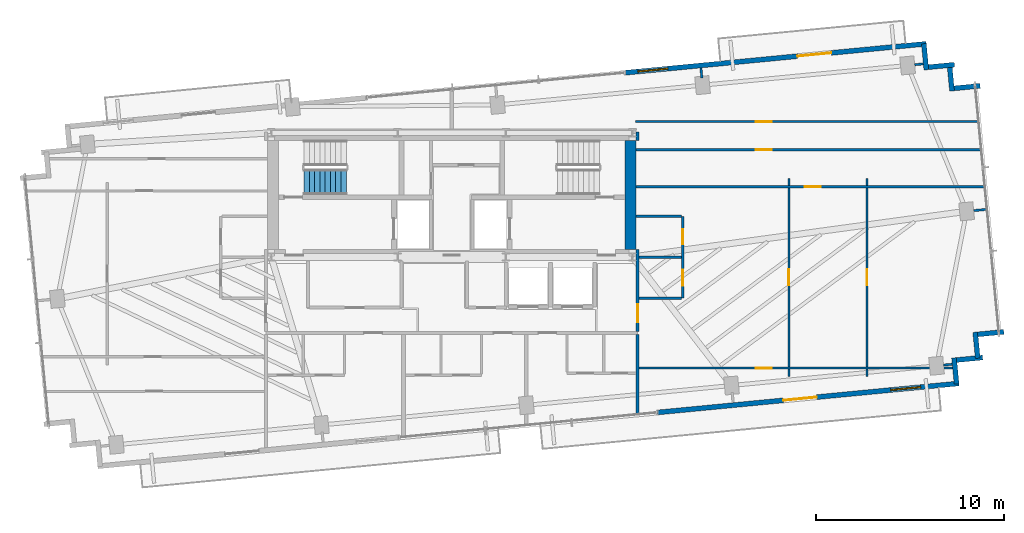
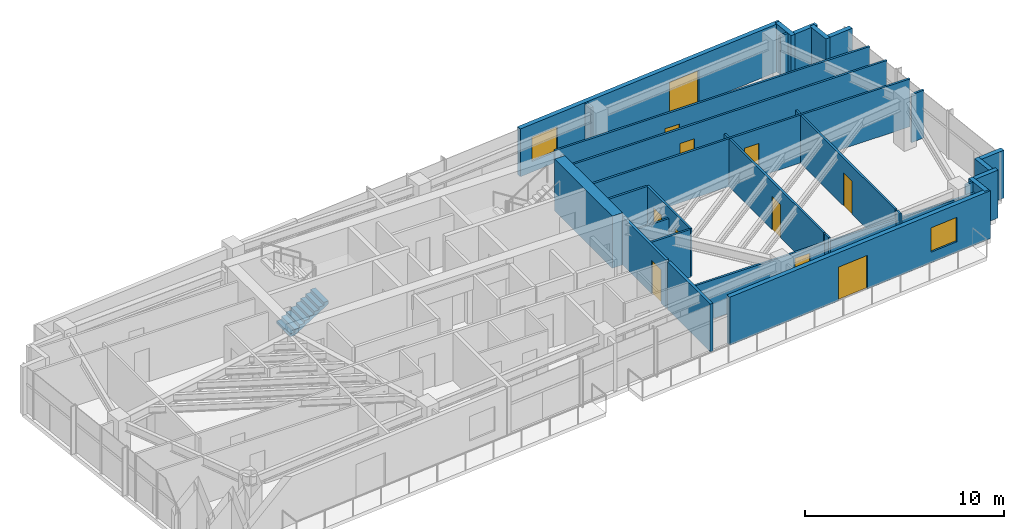
# One storey, part 15 of 18: 32 walls, 11 doors, 2 windows, 1 stair flight, 13 openings, 1 element without a shape of its own.
"""IFC4 building model written with IfcOpenShell, lengths in metres."""

from ifc_helpers import new_model, si_unit, direction, frame, frame_2d, origin, place, context, subcontext, project, spatial, polyline, rectangle, outline, extrude, source, transform, mapped, material, layer, layer_set, type_object, type_shapes, element, fill, aggregate, save


model = new_model("IFC4")

# Units and contexts
model_context = context("Model", 3, precision=1e-05, world=origin(), true_north=direction((0.0, 1.0)))
body_context = subcontext(model_context, "Body", "Model", "MODEL_VIEW")
ifc_project = project(units=[si_unit("LENGTHUNIT", "METRE"), si_unit("AREAUNIT", "SQUARE_METRE"), si_unit("VOLUMEUNIT", "CUBIC_METRE"), si_unit("PLANEANGLEUNIT", "RADIAN"), si_unit("MASSUNIT", "GRAM", prefix="KILO")], contexts=[model_context])

# Site, building, storey
site_placement = place(None, origin())
site = spatial("IfcSite", under=ifc_project, at=site_placement, CompositionType="ELEMENT")
building_placement = place(site_placement, origin())
building = spatial("IfcBuilding", under=site, at=building_placement, Name="Astriad Promenade Condominiums", CompositionType="ELEMENT")
storey_placement = place(building_placement, frame((0.0, 0.0, 198.60009765625)))
storey = spatial("IfcBuildingStorey", under=building, at=storey_placement, Name="L57", CompositionType="ELEMENT", Elevation=198.60009765625)

# Walls
ifc_material_1 = material(Name="Concrete C50/60", Category="concrete")
ifc_layer_1 = layer(ifc_material_1, 0.60009765625)
ifc_layer_set_1 = layer_set([ifc_layer_1], Name="Concrete C50/60")
wall_type_1 = type_object("IfcWallType", Name="CW-SHEAR-600", PredefinedType="SHEAR", material=ifc_layer_set_1)
wall_1_placement = place(storey_placement, frame((45.5, 17.802001953125, 0.0), z_axis=(0.0, 0.0, 1.0), x_axis=(0.0, 1.0, 0.0)))
element("IfcWall", 1, at=wall_1_placement, inside=storey, type_object=wall_type_1, Name="CW-CORE-E-L57", PredefinedType="SHEAR", context=body_context, shape_type="SweptSolid", body=[
    extrude(rectangle(XDim=5.7958984375, YDim=0.60009765625, at=frame_2d((2.89794921875, 0.0))), origin(), (0.0, 0.0, 1.0), 3.199951171875),
])
ifc_material_2 = material(Name="Fire-Rated Gypsum Partition")
ifc_layer_2 = layer(ifc_material_2, 0.159912109375)
ifc_layer_set_2 = layer_set([ifc_layer_2], Name="Fire-Rated Gypsum Partition")
wall_type_2 = type_object("IfcWallType", Name="WALL-CORR-160", PredefinedType="PARTITIONING", material=ifc_layer_set_2)
wall_2_placement = place(storey_placement, frame((45.8798828125, 8.98095703125, 0.0), z_axis=(0.0, 0.0, 1.0), x_axis=(0.0, 1.0, 0.0)))
element("IfcWall", 2, at=wall_2_placement, inside=storey, type_object=wall_type_2, Name="PT-COR-E-L57", PredefinedType="PARTITIONING", context=body_context, shape_type="SweptSolid", body=[
    extrude(rectangle(XDim=4.297119140625, YDim=0.159912109375, at=frame_2d((2.1484375, 0.0))), origin(), (0.0, 0.0, 1.0), 2.93994140625),
])

# Wall, opening, door
wall_3_placement = place(storey_placement, frame((45.8798828125, 13.44189453125, 0.0), z_axis=(0.0, 0.0, 1.0), x_axis=(0.0, 1.0, 0.0)))
wall_3 = element("IfcWall", 3, at=wall_3_placement, inside=storey, type_object=wall_type_2, Name="PT-COR-E-L57-S2", PredefinedType="PARTITIONING", context=body_context, shape_type="SweptSolid", body=[
    extrude(rectangle(XDim=4.360107421875, YDim=0.159912109375, at=frame_2d((2.18017578125, 0.0))), origin(), (0.0, 0.0, 1.0), 2.93994140625),
])
opening_1_placement = place(wall_3_placement, frame((0.492919921875, 0.0, 0.0)))
opening_1 = element("IfcOpeningElement", 4, at=opening_1_placement, cuts=wall_3, Name="Opening FD60-APT-095", PredefinedType="OPENING", context=body_context, shape_type="SweptSolid", body=[
    extrude(rectangle(XDim=0.949951171875, YDim=2.06005859375, at=frame_2d((0.47509765625, 1.030029296875))), frame((0.0, 0.08984375, 0.0), z_axis=(0.0, -1.0, 0.0), x_axis=(1.0, 0.0, 0.0)), (0.0, 0.0, 1.0), 0.179931640625),
])
ifc_material_3 = material(Name="Solid-Core Acoustic Timber Residence Entry Door", Category="wood")
door_type_1 = type_object("IfcDoorType", Name="FD60-APT-095", OperationType="NOTDEFINED", PredefinedType="DOOR", material=ifc_material_3)
shared_shape_1 = source(origin(), body_context, "Body", "SweptSolid", [
    extrude(rectangle(XDim=0.949951171875, YDim=2.06005859375, at=frame_2d((0.47509765625, 1.030029296875))), frame((0.0, 0.02490234375, 0.0), z_axis=(0.0, -1.0, 0.0), x_axis=(1.0, 0.0, 0.0)), (0.0, 0.0, 1.0), 0.050048828125),
])
type_shapes(door_type_1, [shared_shape_1])
door_1_placement = place(opening_1_placement, origin())
door_1 = element("IfcDoor", 5, at=door_1_placement, inside=storey, type_object=door_type_1, Name="D-ENT-L57-E1", OperationType="SINGLE_SWING_RIGHT", OverallHeight=2.06005859375, OverallWidth=0.949951171875, PredefinedType="DOOR", context=body_context, shape_type="MappedRepresentation", body=[
    mapped(shared_shape_1, transform((0.0, 0.0, 0.0), scale=1.0)),
])
fill(opening_1, door_1)

# Wall
wall_4_placement = place(storey_placement, frame((45.8798828125, 23.597900390625, 0.0), z_axis=(0.0, 0.0, 1.0), x_axis=(0.0, 1.0, 0.0)))
element("IfcWall", 6, at=wall_4_placement, inside=storey, type_object=wall_type_2, Name="PT-COR-E-L57-S3", PredefinedType="PARTITIONING", context=body_context, shape_type="SweptSolid", body=[
    extrude(rectangle(XDim=0.4521484375, YDim=0.159912109375, at=frame_2d((0.22607421875, 0.0))), origin(), (0.0, 0.0, 1.0), 2.93994140625),
])

# Wall, openings, door, window
ifc_material_4 = material(Name="Precast concrete C50/60", Category="concrete")
ifc_layer_3 = layer(ifc_material_4, 0.260009765625)
ifc_layer_set_3 = layer_set([ifc_layer_3], Name="Precast concrete C50/60")
wall_type_3 = type_object("IfcWallType", Name="WALL-EXT-TWR-260", PredefinedType="STANDARD", material=ifc_layer_set_3)
wall_5_placement = place(storey_placement, frame((45.198974609375, 27.189697265625, 0.0), z_axis=(0.0, 0.0, 1.0), x_axis=(0.995397074604, 0.095836652014, 0.0)))
wall_5 = element("IfcWall", 7, at=wall_5_placement, inside=storey, type_object=wall_type_3, Name="W-EXT-L57-N2", PredefinedType="STANDARD", context=body_context, shape_type="SweptSolid", body=[
    extrude(rectangle(XDim=16.10009765625, YDim=0.260009765625, at=frame_2d((8.050048828125, 0.0))), origin(), (0.0, 0.0, 1.0), 2.93994140625),
])
opening_2_placement = place(wall_5_placement, frame((9.219970703125, 0.0, 0.0)))
opening_2 = element("IfcOpeningElement", 8, at=opening_2_placement, cuts=wall_5, Name="Opening BD-1822-SLD", PredefinedType="OPENING", context=body_context, shape_type="SweptSolid", body=[
    extrude(rectangle(XDim=1.800048828125, YDim=2.06005859375, at=frame_2d((0.89990234375, 1.030029296875))), frame((0.0, 0.139892578125, 0.0), z_axis=(0.0, -1.0, 0.0), x_axis=(1.0, 0.0, 0.0)), (0.0, 0.0, 1.0), 0.280029296875),
])
opening_3_placement = place(wall_5_placement, frame((0.699951171875, 0.0, 0.64990234375)))
opening_3 = element("IfcOpeningElement", 9, at=opening_3_placement, cuts=wall_5, Name="Opening WIN-TWR-1620", PredefinedType="OPENING", context=body_context, shape_type="SweptSolid", body=[
    extrude(rectangle(XDim=1.60009765625, YDim=1.5, at=frame_2d((0.800048828125, 0.75))), frame((0.0, 0.139892578125, 0.0), z_axis=(0.0, -1.0, 0.0), x_axis=(1.0, 0.0, 0.0)), (0.0, 0.0, 1.0), 0.280029296875),
])
ifc_material_5 = material(Name="Thermally Broken Aluminium Sliding Balcony Door", Category="aluminium")
door_type_2 = type_object("IfcDoorType", Name="BD-1822-SLD", OperationType="NOTDEFINED", PredefinedType="DOOR", material=ifc_material_5)
shared_shape_2 = source(origin(), body_context, "Body", "SweptSolid", [
    extrude(rectangle(XDim=1.800048828125, YDim=2.06005859375, at=frame_2d((0.89990234375, 1.030029296875))), frame((0.0, 0.02490234375, 0.0), z_axis=(0.0, -1.0, 0.0), x_axis=(1.0, 0.0, 0.0)), (0.0, 0.0, 1.0), 0.050048828125),
])
type_shapes(door_type_2, [shared_shape_2])
door_2_placement = place(opening_2_placement, origin())
door_2 = element("IfcDoor", 10, at=door_2_placement, inside=storey, type_object=door_type_2, Name="BD-L57-NE", OperationType="SLIDING_TO_RIGHT", OverallHeight=2.06005859375, OverallWidth=1.800048828125, PredefinedType="DOOR", context=body_context, shape_type="MappedRepresentation", body=[
    mapped(shared_shape_2, transform((0.0, 0.0, 0.0), scale=1.0)),
])
fill(opening_2, door_2)
ifc_material_6 = material(Name="Dark Tinted Triple-Glazed Aluminium Window", Category="aluminium")
window_type = type_object("IfcWindowType", Name="WIN-TWR-1620", PartitioningType="SINGLE_PANEL", PredefinedType="WINDOW", material=ifc_material_6)
shared_shape_3 = source(origin(), body_context, "Body", "SweptSolid", [
    extrude(rectangle(XDim=1.60009765625, YDim=1.5, at=frame_2d((0.800048828125, 0.75))), frame((0.0, 0.030029296875, 0.0), z_axis=(0.0, -1.0, 0.0), x_axis=(1.0, 0.0, 0.0)), (0.0, 0.0, 1.0), 0.06005859375),
])
type_shapes(window_type, [shared_shape_3])
window_1_placement = place(opening_3_placement, origin())
window_1 = element("IfcWindow", 11, at=window_1_placement, inside=storey, type_object=window_type, Name="WIN-L57-NE", OverallHeight=1.5, OverallWidth=1.60009765625, PartitioningType="SINGLE_PANEL", PredefinedType="WINDOW", context=body_context, shape_type="MappedRepresentation", body=[
    mapped(shared_shape_3, transform((0.0, 0.0, 0.0), scale=1.0)),
])
fill(opening_3, window_1)

# Walls
wall_6_placement = place(storey_placement, frame((61.093994140625, 28.735107421875, 0.0), z_axis=(0.0, 0.0, 1.0), x_axis=(0.095742423056, -0.99540614245, 0.0)))
element("IfcWall", 12, at=wall_6_placement, inside=storey, type_object=wall_type_3, Name="W-SER-L57-09", PredefinedType="STANDARD", context=body_context, shape_type="SweptSolid", body=[
    extrude(rectangle(XDim=1.394775390625, YDim=0.260009765625, at=frame_2d((0.697265625, 0.0))), origin(), (0.0, 0.0, 1.0), 2.93994140625),
])
wall_7_placement = place(storey_placement, frame((61.32958984375, 27.487060546875, 0.0), z_axis=(0.0, 0.0, 1.0), x_axis=(0.995391056452, 0.09589913835, 0.0)))
element("IfcWall", 13, at=wall_7_placement, inside=storey, type_object=wall_type_3, Name="W-SER-L57-10", PredefinedType="STANDARD", context=body_context, shape_type="SweptSolid", body=[
    extrude(rectangle(XDim=1.39501953125, YDim=0.260009765625, at=frame_2d((0.697509765625, 0.0))), origin(), (0.0, 0.0, 1.0), 2.93994140625),
])
for number, where, z_axis, x_axis, name in (
    (14, (62.4580078125, 27.610595703125, 0.0), (0.0, 0.0, 1.0), (0.095915846097, -0.995389446633, 0.0), "W-SER-L57-11"),
    (15, (62.69384765625, 26.362548828125, 0.0), (0.0, 0.0, 1.0), (0.995389446633, 0.095915846097, 0.0), "W-SER-L57-12"),
):
    element("IfcWall", number, at=place(storey_placement, frame(where, z_axis=z_axis, x_axis=x_axis)), inside=storey, type_object=wall_type_3, Name=name, PredefinedType="STANDARD", context=body_context, shape_type="SweptSolid", body=[
        extrude(rectangle(XDim=1.394775390625, YDim=0.260009765625, at=frame_2d((0.697265625, 0.0))), origin(), (0.0, 0.0, 1.0), 2.93994140625),
    ])
wall_8_placement = place(storey_placement, frame((65.341796875, 13.416748046875, 0.0), z_axis=(0.0, 0.0, 1.0), x_axis=(-0.99540774648, -0.095725744959, 0.0)))
element("IfcWall", 16, at=wall_8_placement, inside=storey, type_object=wall_type_3, Name="W-SER-L57-14", PredefinedType="STANDARD", context=body_context, shape_type="SweptSolid", body=[
    extrude(rectangle(XDim=1.39501953125, YDim=0.260009765625, at=frame_2d((0.697509765625, 0.0))), origin(), (0.0, 0.0, 1.0), 2.93994140625),
])
wall_9_placement = place(storey_placement, frame((63.826171875, 13.4013671875, 0.0), z_axis=(0.0, 0.0, 1.0), x_axis=(0.095915846097, -0.995389446633, 0.0)))
element("IfcWall", 17, at=wall_9_placement, inside=storey, type_object=wall_type_3, Name="W-SER-L57-15", PredefinedType="STANDARD", context=body_context, shape_type="SweptSolid", body=[
    extrude(rectangle(XDim=1.394775390625, YDim=0.260009765625, at=frame_2d((0.697265625, 0.0))), origin(), (0.0, 0.0, 1.0), 2.93994140625),
])
for number, where, z_axis, x_axis, name in (
    (18, (64.21728515625, 12.052734375, 0.0), (0.0, 0.0, 1.0), (-0.99540774648, -0.095725744959, 0.0), "W-SER-L57-16"),
    (19, (62.701904296875, 12.037353515625, 0.0), (0.0, 0.0, 1.0), (0.095725744959, -0.99540774648, 0.0), "W-SER-L57-17"),
):
    element("IfcWall", number, at=place(storey_placement, frame(where, z_axis=z_axis, x_axis=x_axis)), inside=storey, type_object=wall_type_3, Name=name, PredefinedType="STANDARD", context=body_context, shape_type="SweptSolid", body=[
        extrude(rectangle(XDim=1.39501953125, YDim=0.260009765625, at=frame_2d((0.697509765625, 0.0))), origin(), (0.0, 0.0, 1.0), 2.93994140625),
    ])

# Wall, openings, door, window
wall_10_placement = place(storey_placement, frame((62.96337890625, 10.67626953125, 0.0), z_axis=(0.0, 0.0, 1.0), x_axis=(-0.995395627913, -0.095851676732, 0.0)))
wall_10 = element("IfcWall", 20, at=wall_10_placement, inside=storey, type_object=wall_type_3, Name="W-EXT-L57-S1", PredefinedType="STANDARD", context=body_context, shape_type="SweptSolid", body=[
    extrude(rectangle(XDim=16.10009765625, YDim=0.260009765625, at=frame_2d((8.050048828125, 0.0))), origin(), (0.0, 0.0, 1.0), 2.93994140625),
])
opening_4_placement = place(wall_10_placement, frame((7.589111328125, 0.0, 0.0)))
opening_4 = element("IfcOpeningElement", 21, at=opening_4_placement, cuts=wall_10, Name="Opening BD-1822-SLD", PredefinedType="OPENING", context=body_context, shape_type="SweptSolid", body=[
    extrude(rectangle(XDim=1.800048828125, YDim=2.06005859375, at=frame_2d((0.89990234375, 1.030029296875))), frame((0.0, 0.139892578125, 0.0), z_axis=(0.0, -1.0, 0.0), x_axis=(1.0, 0.0, 0.0)), (0.0, 0.0, 1.0), 0.280029296875),
])
opening_5_placement = place(wall_10_placement, frame((2.050048828125, 0.0, 0.64990234375)))
opening_5 = element("IfcOpeningElement", 22, at=opening_5_placement, cuts=wall_10, Name="Opening WIN-TWR-1620", PredefinedType="OPENING", context=body_context, shape_type="SweptSolid", body=[
    extrude(rectangle(XDim=1.60009765625, YDim=1.5, at=frame_2d((0.800048828125, 0.75))), frame((0.0, 0.139892578125, 0.0), z_axis=(0.0, -1.0, 0.0), x_axis=(1.0, 0.0, 0.0)), (0.0, 0.0, 1.0), 0.280029296875),
])
door_3_placement = place(opening_4_placement, origin())
door_3 = element("IfcDoor", 23, at=door_3_placement, inside=storey, type_object=door_type_2, Name="BD-L57-SE", OperationType="SLIDING_TO_RIGHT", OverallHeight=2.06005859375, OverallWidth=1.800048828125, PredefinedType="DOOR", context=body_context, shape_type="MappedRepresentation", body=[
    mapped(shared_shape_2, transform((0.0, 0.0, 0.0), scale=1.0)),
])
fill(opening_4, door_3)
window_2_placement = place(opening_5_placement, origin())
window_2 = element("IfcWindow", 24, at=window_2_placement, inside=storey, type_object=window_type, Name="WIN-L57-SE", OverallHeight=1.5, OverallWidth=1.60009765625, PartitioningType="SINGLE_PANEL", PredefinedType="WINDOW", context=body_context, shape_type="MappedRepresentation", body=[
    mapped(shared_shape_3, transform((0.0, 0.0, 0.0), scale=1.0)),
])
fill(opening_5, window_2)

# Wall, openings, doors
ifc_material_7 = material(Name="Acoustic Metal-Stud Gypsum Partition")
ifc_layer_4 = layer(ifc_material_7, 0.1201171875)
ifc_layer_set_4 = layer_set([ifc_layer_4], Name="Acoustic Metal-Stud Gypsum Partition")
wall_type_4 = type_object("IfcWallType", Name="WALL-PART-120", PredefinedType="PARTITIONING", material=ifc_layer_set_4)
wall_11_placement = place(storey_placement, frame((48.280029296875, 15.2099609375, 0.0), z_axis=(0.0, 0.0, 1.0), x_axis=(0.0, 1.0, 0.0)))
wall_11 = element("IfcWall", 25, at=wall_11_placement, inside=storey, type_object=wall_type_4, Name="PT-L57-E1-PV", PredefinedType="PARTITIONING", context=body_context, shape_type="SweptSolid", body=[
    extrude(rectangle(XDim=4.35009765625, YDim=0.1201171875, at=frame_2d((2.175048828125, 0.0))), origin(), (0.0, 0.0, 1.0), 2.93994140625),
])
opening_6_placement = place(wall_11_placement, frame((0.662109375, 0.0, 0.0)))
opening_6 = element("IfcOpeningElement", 26, at=opening_6_placement, cuts=wall_11, Name="Opening D-INT-085", PredefinedType="OPENING", context=body_context, shape_type="SweptSolid", body=[
    extrude(rectangle(XDim=0.85009765625, YDim=2.050048828125, at=frame_2d((0.425048828125, 1.02490234375))), frame((0.0, 0.070068359375, 0.0), z_axis=(0.0, -1.0, 0.0), x_axis=(1.0, 0.0, 0.0)), (0.0, 0.0, 1.0), 0.14013671875),
])
opening_7_placement = place(wall_11_placement, frame((2.863037109375, 0.0, 0.0)))
opening_7 = element("IfcOpeningElement", 27, at=opening_7_placement, cuts=wall_11, Name="Opening D-WET-080", PredefinedType="OPENING", context=body_context, shape_type="SweptSolid", body=[
    extrude(rectangle(XDim=0.800048828125, YDim=2.02001953125, at=frame_2d((0.39990234375, 1.010009765625))), frame((0.0, 0.070068359375, 0.0), z_axis=(0.0, -1.0, 0.0), x_axis=(1.0, 0.0, 0.0)), (0.0, 0.0, 1.0), 0.14013671875),
])
ifc_material_8 = material(Name="Moisture-Resistant Timber Bathroom Door", Category="wood")
door_type_3 = type_object("IfcDoorType", Name="D-WET-080", OperationType="NOTDEFINED", PredefinedType="DOOR", material=ifc_material_8)
shared_shape_4 = source(origin(), body_context, "Body", "SweptSolid", [
    extrude(rectangle(XDim=0.800048828125, YDim=2.02001953125, at=frame_2d((0.39990234375, 1.010009765625))), frame((0.0, 0.02490234375, 0.0), z_axis=(0.0, -1.0, 0.0), x_axis=(1.0, 0.0, 0.0)), (0.0, 0.0, 1.0), 0.050048828125),
])
type_shapes(door_type_3, [shared_shape_4])
door_4_placement = place(opening_7_placement, origin())
door_4 = element("IfcDoor", 28, at=door_4_placement, inside=storey, type_object=door_type_3, Name="D-BTH-L57-E1", OperationType="SINGLE_SWING_RIGHT", OverallHeight=2.02001953125, OverallWidth=0.800048828125, PredefinedType="DOOR", context=body_context, shape_type="MappedRepresentation", body=[
    mapped(shared_shape_4, transform((0.0, 0.0, 0.0), scale=1.0)),
])
fill(opening_7, door_4)
ifc_material_9 = material(Name="Painted Solid-Core Timber Room Door", Category="wood")
door_type_4 = type_object("IfcDoorType", Name="D-INT-085", OperationType="NOTDEFINED", PredefinedType="DOOR", material=ifc_material_9)
shared_shape_5 = source(origin(), body_context, "Body", "SweptSolid", [
    extrude(rectangle(XDim=0.85009765625, YDim=2.050048828125, at=frame_2d((0.425048828125, 1.02490234375))), frame((0.0, 0.02490234375, 0.0), z_axis=(0.0, -1.0, 0.0), x_axis=(1.0, 0.0, 0.0)), (0.0, 0.0, 1.0), 0.050048828125),
])
type_shapes(door_type_4, [shared_shape_5])
door_5_placement = place(opening_6_placement, origin())
door_5 = element("IfcDoor", 29, at=door_5_placement, inside=storey, type_object=door_type_4, Name="D-KIT-L57-E1", OperationType="SINGLE_SWING_LEFT", OverallHeight=2.050048828125, OverallWidth=0.85009765625, PredefinedType="DOOR", context=body_context, shape_type="MappedRepresentation", body=[
    mapped(shared_shape_5, transform((0.0, 0.0, 0.0), scale=1.0)),
])
fill(opening_6, door_5)

# Walls
wall_12_placement = place(storey_placement, frame((45.9619140625, 17.385009765625, 0.0), z_axis=(0.0, 0.0, 1.0), x_axis=(1.0, 0.0, 0.0)))
element("IfcWall", 30, at=wall_12_placement, inside=storey, type_object=wall_type_4, Name="PT-L57-E1-PM", PredefinedType="PARTITIONING", context=body_context, shape_type="SweptSolid", body=[
    extrude(rectangle(XDim=2.256103515625, YDim=0.1201171875, at=frame_2d((1.1279296875, 0.0))), origin(), (0.0, 0.0, 1.0), 2.28125),
])
wall_13_placement = place(storey_placement, frame((45.9619140625, 15.2099609375, 0.0), z_axis=(0.0, 0.0, 1.0), x_axis=(1.0, 0.0, 0.0)))
element("IfcWall", 31, at=wall_13_placement, inside=storey, type_object=wall_type_4, Name="PT-L57-E1-PS", PredefinedType="PARTITIONING", context=body_context, shape_type="SweptSolid", body=[
    extrude(rectangle(XDim=2.256103515625, YDim=0.1201171875, at=frame_2d((1.1279296875, 0.0))), origin(), (0.0, 0.0, 1.0), 2.93994140625),
])
wall_14_placement = place(storey_placement, frame((45.802001953125, 19.56005859375, 0.0), z_axis=(0.0, 0.0, 1.0), x_axis=(1.0, 0.0, 0.0)))
element("IfcWall", 32, at=wall_14_placement, inside=storey, type_object=wall_type_4, Name="PT-L57-E1-PN", PredefinedType="PARTITIONING", context=body_context, shape_type="SweptSolid", body=[
    extrude(rectangle(XDim=2.416015625, YDim=0.1201171875, at=frame_2d((1.2080078125, 0.0))), origin(), (0.0, 0.0, 1.0), 2.93994140625),
])

# Wall, opening, door
wall_15_placement = place(storey_placement, frame((45.760009765625, 24.596923828125, 0.0), z_axis=(0.0, 0.0, 1.0), x_axis=(1.0, 0.0, 0.0)))
wall_15 = element("IfcWall", 33, at=wall_15_placement, inside=storey, type_object=wall_type_4, Name="PT-L57-E1-WDN1", PredefinedType="PARTITIONING", context=body_context, shape_type="SweptSolid", body=[
    extrude(rectangle(XDim=18.294189453125, YDim=0.1201171875, at=frame_2d((9.14697265625, 0.0))), origin(), (0.0, 0.0, 1.0), 2.93994140625),
])
opening_8_placement = place(wall_15_placement, frame((6.387939453125, 0.0, 0.0)))
opening_8 = element("IfcOpeningElement", 34, at=opening_8_placement, cuts=wall_15, Name="Opening D-INT-085", PredefinedType="OPENING", context=body_context, shape_type="SweptSolid", body=[
    extrude(rectangle(XDim=0.85009765625, YDim=2.050048828125, at=frame_2d((0.425048828125, 1.02490234375))), frame((0.0, 0.070068359375, 0.0), z_axis=(0.0, -1.0, 0.0), x_axis=(1.0, 0.0, 0.0)), (0.0, 0.0, 1.0), 0.14013671875),
])
door_6_placement = place(opening_8_placement, origin())
door_6 = element("IfcDoor", 35, at=door_6_placement, inside=storey, type_object=door_type_4, Name="D-WDN1-L57-E1", OperationType="SINGLE_SWING_LEFT", OverallHeight=2.050048828125, OverallWidth=0.85009765625, PredefinedType="DOOR", context=body_context, shape_type="MappedRepresentation", body=[
    mapped(shared_shape_5, transform((0.0, 0.0, 0.0), scale=1.0)),
])
fill(opening_8, door_6)

wall_16_placement = place(storey_placement, frame((45.802001953125, 23.10205078125, 0.0), z_axis=(0.0, 0.0, 1.0), x_axis=(1.0, 0.0, 0.0)))
wall_16 = element("IfcWall", 36, at=wall_16_placement, inside=storey, type_object=wall_type_4, Name="PT-L57-E1-WDN2", PredefinedType="PARTITIONING", context=body_context, shape_type="SweptSolid", body=[
    extrude(rectangle(XDim=18.39599609375, YDim=0.1201171875, at=frame_2d((9.197998046875, 0.0))), origin(), (0.0, 0.0, 1.0), 2.93994140625),
])
opening_9_placement = place(wall_16_placement, frame((6.345947265625, 0.0, 0.0)))
opening_9 = element("IfcOpeningElement", 37, at=opening_9_placement, cuts=wall_16, Name="Opening D-INT-085", PredefinedType="OPENING", context=body_context, shape_type="SweptSolid", body=[
    extrude(rectangle(XDim=0.85009765625, YDim=2.050048828125, at=frame_2d((0.425048828125, 1.02490234375))), frame((0.0, 0.070068359375, 0.0), z_axis=(0.0, -1.0, 0.0), x_axis=(1.0, 0.0, 0.0)), (0.0, 0.0, 1.0), 0.14013671875),
])
door_7_placement = place(opening_9_placement, origin())
door_7 = element("IfcDoor", 38, at=door_7_placement, inside=storey, type_object=door_type_4, Name="D-WDN2-L57-E1", OperationType="SINGLE_SWING_RIGHT", OverallHeight=2.050048828125, OverallWidth=0.85009765625, PredefinedType="DOOR", context=body_context, shape_type="MappedRepresentation", body=[
    mapped(shared_shape_5, transform((0.0, 0.0, 0.0), scale=1.0)),
])
fill(opening_9, door_7)

wall_17_placement = place(storey_placement, frame((45.9619140625, 11.493896484375, 0.0), z_axis=(0.0, 0.0, 1.0), x_axis=(1.0, 0.0, 0.0)))
wall_17 = element("IfcWall", 39, at=wall_17_placement, inside=storey, type_object=wall_type_4, Name="PT-L57-E1-WDS3", PredefinedType="PARTITIONING", context=body_context, shape_type="SweptSolid", body=[
    extrude(rectangle(XDim=16.65966796875, YDim=0.1201171875, at=frame_2d((8.329833984375, 0.0))), origin(), (0.0, 0.0, 1.0), 2.38232421875),
])
opening_10_placement = place(wall_17_placement, frame((6.18603515625, 0.0, 0.0)))
opening_10 = element("IfcOpeningElement", 40, at=opening_10_placement, cuts=wall_17, Name="Opening D-INT-085", PredefinedType="OPENING", context=body_context, shape_type="SweptSolid", body=[
    extrude(rectangle(XDim=0.85009765625, YDim=2.050048828125, at=frame_2d((0.425048828125, 1.02490234375))), frame((0.0, 0.070068359375, 0.0), z_axis=(0.0, -1.0, 0.0), x_axis=(1.0, 0.0, 0.0)), (0.0, 0.0, 1.0), 0.14013671875),
])
door_8_placement = place(opening_10_placement, origin())
door_8 = element("IfcDoor", 41, at=door_8_placement, inside=storey, type_object=door_type_4, Name="D-WDS3-L57-E1", OperationType="SINGLE_SWING_LEFT", OverallHeight=2.050048828125, OverallWidth=0.85009765625, PredefinedType="DOOR", context=body_context, shape_type="MappedRepresentation", body=[
    mapped(shared_shape_5, transform((0.0, 0.0, 0.0), scale=1.0)),
])
fill(opening_10, door_8)

wall_18_placement = place(storey_placement, frame((45.802001953125, 21.126953125, 0.0), z_axis=(0.0, 0.0, 1.0), x_axis=(1.0, 0.0, 0.0)))
wall_18 = element("IfcWall", 42, at=wall_18_placement, inside=storey, type_object=wall_type_4, Name="PT-L57-E1-WDN4", PredefinedType="PARTITIONING", context=body_context, shape_type="SweptSolid", body=[
    extrude(rectangle(XDim=18.586181640625, YDim=0.1201171875, at=frame_2d((9.29296875, 0.0))), origin(), (0.0, 0.0, 1.0), 2.93994140625),
])
opening_11_placement = place(wall_18_placement, frame((8.9541015625, 0.0, 0.0)))
opening_11 = element("IfcOpeningElement", 43, at=opening_11_placement, cuts=wall_18, Name="Opening D-INT-085", PredefinedType="OPENING", context=body_context, shape_type="SweptSolid", body=[
    extrude(rectangle(XDim=0.85009765625, YDim=2.050048828125, at=frame_2d((0.425048828125, 1.02490234375))), frame((0.0, 0.070068359375, 0.0), z_axis=(0.0, -1.0, 0.0), x_axis=(1.0, 0.0, 0.0)), (0.0, 0.0, 1.0), 0.14013671875),
])
door_9_placement = place(opening_11_placement, origin())
door_9 = element("IfcDoor", 44, at=door_9_placement, inside=storey, type_object=door_type_4, Name="D-WDN4-L57-E1", OperationType="SINGLE_SWING_RIGHT", OverallHeight=2.050048828125, OverallWidth=0.85009765625, PredefinedType="DOOR", context=body_context, shape_type="MappedRepresentation", body=[
    mapped(shared_shape_5, transform((0.0, 0.0, 0.0), scale=1.0)),
])
fill(opening_11, door_9)

# Wall
wall_19_placement = place(storey_placement, frame((58.070068359375, 11.053955078125, 0.0), z_axis=(0.0, 0.0, 1.0), x_axis=(0.0, 1.0, 0.0)))
element("IfcWall", 45, at=wall_19_placement, inside=storey, type_object=wall_type_4, Name="PT-L57-E1-WDV5", PredefinedType="PARTITIONING", context=body_context, shape_type="SweptSolid", body=[
    extrude(rectangle(XDim=0.3779296875, YDim=0.1201171875, at=frame_2d((0.18896484375, 0.0))), origin(), (0.0, 0.0, 1.0), 2.93994140625),
])

# Wall, opening, door
wall_20_placement = place(storey_placement, frame((58.070068359375, 11.555908203125, 0.0), z_axis=(0.0, 0.0, 1.0), x_axis=(0.0, 1.0, 0.0)))
wall_20 = element("IfcWall", 46, at=wall_20_placement, inside=storey, type_object=wall_type_4, Name="PT-L57-E1-WDV5-S2", PredefinedType="PARTITIONING", context=body_context, shape_type="SweptSolid", body=[
    extrude(rectangle(XDim=9.509033203125, YDim=0.1201171875, at=frame_2d((4.75439453125, 0.0))), origin(), (0.0, 0.0, 1.0), 2.93994140625),
])
opening_12_placement = place(wall_20_placement, frame((4.3291015625, 0.0, 0.0)))
opening_12 = element("IfcOpeningElement", 47, at=opening_12_placement, cuts=wall_20, Name="Opening D-INT-085", PredefinedType="OPENING", context=body_context, shape_type="SweptSolid", body=[
    extrude(rectangle(XDim=0.85009765625, YDim=2.050048828125, at=frame_2d((0.425048828125, 1.02490234375))), frame((0.0, 0.070068359375, 0.0), z_axis=(0.0, -1.0, 0.0), x_axis=(1.0, 0.0, 0.0)), (0.0, 0.0, 1.0), 0.14013671875),
])
door_10_placement = place(opening_12_placement, origin())
door_10 = element("IfcDoor", 48, at=door_10_placement, inside=storey, type_object=door_type_4, Name="D-WDV5-L57-E1", OperationType="SINGLE_SWING_LEFT", OverallHeight=2.050048828125, OverallWidth=0.85009765625, PredefinedType="DOOR", context=body_context, shape_type="MappedRepresentation", body=[
    mapped(shared_shape_5, transform((0.0, 0.0, 0.0), scale=1.0)),
])
fill(opening_12, door_10)

# Walls
for number, where, z_axis, x_axis, name in (
    (49, (58.070068359375, 21.18896484375, 0.0), (0.0, 0.0, 1.0), (0.0, 1.0, 0.0), "PT-L57-E1-WDV5-S3"),
    (50, (53.923095703125, 11.053955078125, 0.0), (0.0, 0.0, 1.0), (0.0, 1.0, 0.0), "PT-L57-E1-WDV6"),
):
    element("IfcWall", number, at=place(storey_placement, frame(where, z_axis=z_axis, x_axis=x_axis)), inside=storey, type_object=wall_type_4, Name=name, PredefinedType="PARTITIONING", context=body_context, shape_type="SweptSolid", body=[
        extrude(rectangle(XDim=0.3779296875, YDim=0.1201171875, at=frame_2d((0.18896484375, 0.0))), origin(), (0.0, 0.0, 1.0), 2.93994140625),
    ])

# Wall, opening, door
wall_21_placement = place(storey_placement, frame((53.923095703125, 11.555908203125, 0.0), z_axis=(0.0, 0.0, 1.0), x_axis=(0.0, 1.0, 0.0)))
wall_21 = element("IfcWall", 51, at=wall_21_placement, inside=storey, type_object=wall_type_4, Name="PT-L57-E1-WDV6-S2", PredefinedType="PARTITIONING", context=body_context, shape_type="SweptSolid", body=[
    extrude(rectangle(XDim=9.509033203125, YDim=0.1201171875, at=frame_2d((4.75439453125, 0.0))), origin(), (0.0, 0.0, 1.0), 2.93994140625),
])
opening_13_placement = place(wall_21_placement, frame((4.3291015625, 0.0, 0.0)))
opening_13 = element("IfcOpeningElement", 52, at=opening_13_placement, cuts=wall_21, Name="Opening D-INT-085", PredefinedType="OPENING", context=body_context, shape_type="SweptSolid", body=[
    extrude(rectangle(XDim=0.85009765625, YDim=2.050048828125, at=frame_2d((0.425048828125, 1.02490234375))), frame((0.0, 0.070068359375, 0.0), z_axis=(0.0, -1.0, 0.0), x_axis=(1.0, 0.0, 0.0)), (0.0, 0.0, 1.0), 0.14013671875),
])
door_11_placement = place(opening_13_placement, origin())
door_11 = element("IfcDoor", 53, at=door_11_placement, inside=storey, type_object=door_type_4, Name="D-WDV6-L57-E1", OperationType="SINGLE_SWING_RIGHT", OverallHeight=2.050048828125, OverallWidth=0.85009765625, PredefinedType="DOOR", context=body_context, shape_type="MappedRepresentation", body=[
    mapped(shared_shape_5, transform((0.0, 0.0, 0.0), scale=1.0)),
])
fill(opening_13, door_11)

# Walls
wall_22_placement = place(storey_placement, frame((53.923095703125, 21.18896484375, 0.0), z_axis=(0.0, 0.0, 1.0), x_axis=(0.0, 1.0, 0.0)))
element("IfcWall", 54, at=wall_22_placement, inside=storey, type_object=wall_type_4, Name="PT-L57-E1-WDV6-S3", PredefinedType="PARTITIONING", context=body_context, shape_type="SweptSolid", body=[
    extrude(rectangle(XDim=0.3779296875, YDim=0.1201171875, at=frame_2d((0.18896484375, 0.0))), origin(), (0.0, 0.0, 1.0), 2.93994140625),
])
wall_23_placement = place(storey_placement, frame((62.146240234375, 11.65234375, 0.0), z_axis=(0.0, 0.0, 1.0), x_axis=(0.995384576284, 0.09596637586, 0.0)))
element("IfcWall", 55, at=wall_23_placement, inside=storey, type_object=wall_type_4, Name="PT-PIL-L57-PC05-12", PredefinedType="PARTITIONING", context=body_context, shape_type="SweptSolid", body=[
    extrude(rectangle(XDim=0.4580078125, YDim=0.1201171875, at=frame_2d((0.22900390625, 0.0))), origin(), (0.0, 0.0, 1.0), 2.93994140625),
])
wall_24_placement = place(storey_placement, frame((49.29443359375, 26.910888671875, 0.0), z_axis=(0.0, 0.0, 1.0), x_axis=(-0.095772948675, 0.995403205893, 0.0)))
element("IfcWall", 56, at=wall_24_placement, inside=storey, type_object=wall_type_4, Name="PT-PIL-L57-PC09-16", PredefinedType="PARTITIONING", context=body_context, shape_type="SweptSolid", body=[
    extrude(rectangle(XDim=0.537841796875, YDim=0.1201171875, at=frame_2d((0.26904296875, 0.0))), origin(), (0.0, 0.0, 1.0), 2.93994140625),
])
wall_25_placement = place(storey_placement, frame((60.60888671875, 27.618408203125, 0.0), z_axis=(0.0, 0.0, 1.0), x_axis=(0.995384576284, 0.09596637586, 0.0)))
element("IfcWall", 57, at=wall_25_placement, inside=storey, type_object=wall_type_4, Name="PT-PIL-L57-PC10-17", PredefinedType="PARTITIONING", context=body_context, shape_type="SweptSolid", body=[
    extrude(rectangle(XDim=0.4580078125, YDim=0.1201171875, at=frame_2d((0.22900390625, 0.0))), origin(), (0.0, 0.0, 1.0), 2.93994140625),
])
wall_26_placement = place(storey_placement, frame((63.74658203125, 19.863525390625, 0.0), z_axis=(0.0, 0.0, 1.0), x_axis=(0.995405496295, 0.095749140702, 0.0)))
element("IfcWall", 58, at=wall_26_placement, inside=storey, type_object=wall_type_4, Name="PT-PIL-L57-PC12-19", PredefinedType="PARTITIONING", context=body_context, shape_type="SweptSolid", body=[
    extrude(rectangle(XDim=0.759765625, YDim=0.1201171875, at=frame_2d((0.3798828125, 0.0))), origin(), (0.0, 0.0, 1.0), 2.93994140625),
])

# Stair, stair flight
stair_type = type_object("IfcStairType", Name="STR-CORE-1350", PredefinedType="HALF_TURN_STAIR", material=ifc_material_1)
stair_placement = place(storey_placement, origin())
stair = element("IfcStair", 59, at=stair_placement, inside=storey, type_object=stair_type, Name="L57 Enclosed Core Exit Stair ST-1", PredefinedType="HALF_TURN_STAIR")
stair_flight_type = type_object("IfcStairFlightType", Name="SFL-CORE-1350", PredefinedType="STRAIGHT", material=ifc_material_1)
shared_shape_6 = source(origin(), body_context, "Body", "SweptSolid", [
    extrude(outline(polyline([(0.0, 0.0), (0.0, 0.177734375), (0.280029296875, 0.177734375), (0.280029296875, 0.35546875), (0.56005859375, 0.35546875), (0.56005859375, 0.533447265625), (0.840087890625, 0.533447265625), (0.840087890625, 0.711181640625), (1.1201171875, 0.711181640625), (1.1201171875, 0.888916015625), (1.39990234375, 0.888916015625), (1.39990234375, 1.066650390625), (1.679931640625, 1.066650390625), (1.679931640625, 1.244384765625), (1.9599609375, 1.244384765625), (1.9599609375, 1.422119140625), (2.239990234375, 1.422119140625), (2.239990234375, 1.60009765625), (2.239990234375, 1.24462890625), (0.27978515625, 0.0), (0.0, 0.0)])), frame((0.0, 0.675048828125, 0.0), z_axis=(0.0, -1.0, 0.0), x_axis=(1.0, 0.0, 0.0)), (0.0, 0.0, 1.0), 1.35009765625),
])
type_shapes(stair_flight_type, [shared_shape_6])
stair_flight_placement = place(storey_placement, frame((28.14990234375, 21.375, 0.0), z_axis=(0.0, 0.0, 1.0), x_axis=(1.0, 0.0, 0.0)))
stair_flight = element("IfcStairFlight", 60, at=stair_flight_placement, type_object=stair_flight_type, Name="ST-1 flight 1", NumberOfRisers=9, NumberOfTreads=8, PredefinedType="STRAIGHT", RiserHeight=0.177777778, TreadLength=0.28, context=body_context, shape_type="MappedRepresentation", body=[
    mapped(shared_shape_6, transform((0.0, 0.0, 0.0), scale=1.0)),
])
aggregate(stair, [stair_flight])

save(model, "model.ifc")
